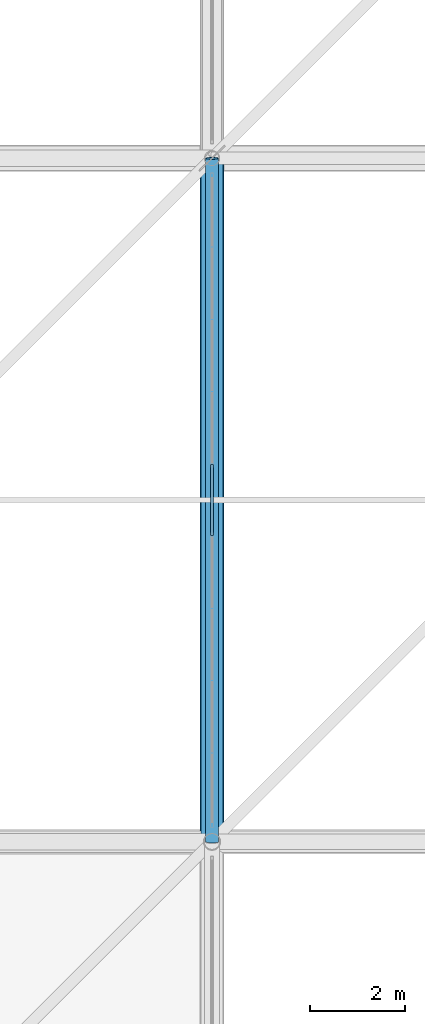
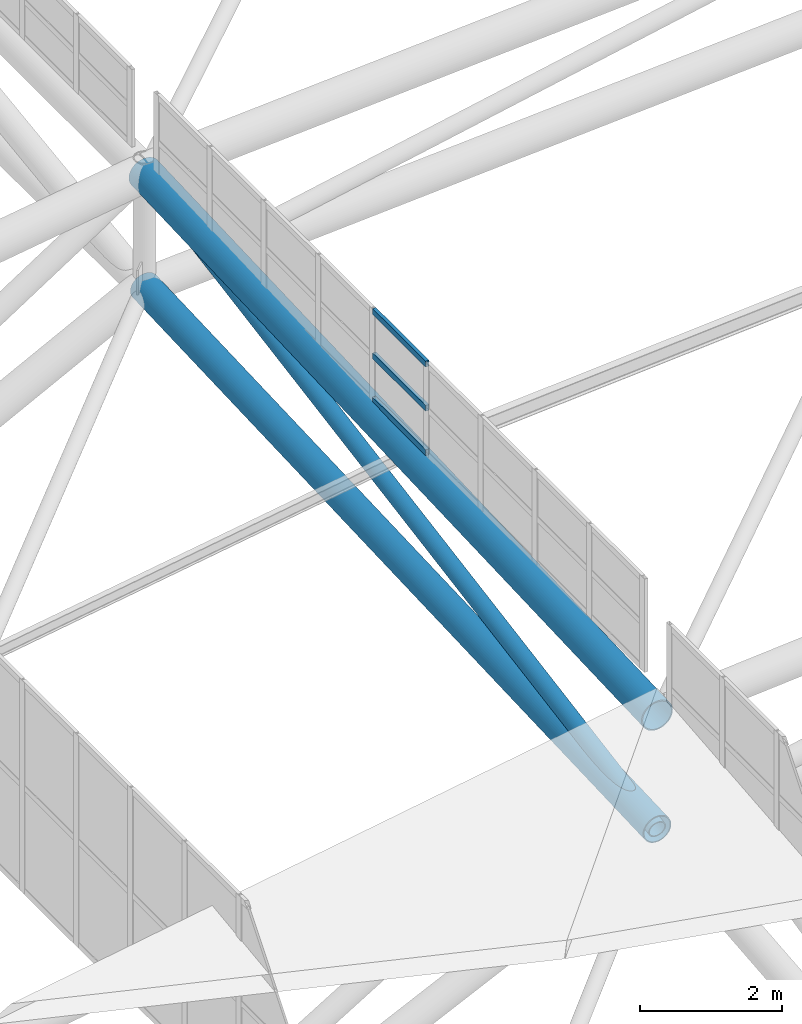
# One storey, part 70 of 397: 4 members, 2 beams, 1 element without a shape of its own.
"""IFC4 building model written with IfcOpenShell, lengths in metres."""

from ifc_helpers import new_model, si_unit, direction, frame, origin, origin_2d, place, context, subcontext, project, spatial, hollow_rectangle, hollow_circle, extrude, material, material_profile, profile_set, type_object, element, aggregate, save


model = new_model("IFC4")

# Units and contexts
model_context = context("Model", 3, precision=1e-05, world=origin(), true_north=direction((0.0, 1.0)))
body_context = subcontext(model_context, "Body", "Model", "MODEL_VIEW")
ifc_project = project(units=[si_unit("LENGTHUNIT", "METRE"), si_unit("AREAUNIT", "SQUARE_METRE"), si_unit("VOLUMEUNIT", "CUBIC_METRE"), si_unit("PLANEANGLEUNIT", "RADIAN"), si_unit("MASSUNIT", "GRAM", prefix="KILO")], contexts=[model_context])

# Site, building, storey
site_placement = place(None, origin())
site = spatial("IfcSite", under=ifc_project, at=site_placement, CompositionType="ELEMENT")
building_placement = place(site_placement, origin())
building = spatial("IfcBuilding", under=site, at=building_placement, Name="Qandorah Velis Arena", CompositionType="ELEMENT")
storey_placement = place(building_placement, frame((0.0, 0.0, 27.5)))
storey = spatial("IfcBuildingStorey", under=building, at=storey_placement, Name="RF", CompositionType="ELEMENT", Elevation=27.5)

# Curtain wall, members
ifc_material_1 = material(Name="Solar-control low-E double glazing", Category="glass")
curtain_wall_type = type_object("IfcCurtainWallType", Name="ARC-CW-SYS07", PredefinedType="USERDEFINED", material=ifc_material_1)
curtain_wall_placement = place(storey_placement, origin())
curtain_wall = element("IfcCurtainWall", 1, at=curtain_wall_placement, inside=storey, type_object=curtain_wall_type, Name="Unitised curtain wall OCULUS-1-2", ObjectType="UNITISED CURTAIN WALL", PredefinedType="USERDEFINED")
ifc_material_2 = material(Name="Champagne-bronze anodized aluminium 6063-T6", Category="aluminium")
ifc_material_profile_1 = material_profile(ifc_material_2, hollow_rectangle(XDim=0.054931640625, YDim=0.10009765625, WallThickness=0.0029296875, at=origin_2d()), Name="ALU TRANSOM 55x100")
ifc_profile_set_1 = profile_set([ifc_material_profile_1], Name="Champagne-bronze anodized aluminium 6063-T6")
member_type_1 = type_object("IfcMemberType", Name="ARC-CWT-100", PredefinedType="USERDEFINED", material=ifc_profile_set_1)
member_1_placement = place(storey_placement, frame((28.800048828125, 49.654296875, 9.455078125), z_axis=(0.0, 1.0, 0.0), x_axis=(-1.0, 0.0, 0.0)))
member_1 = element("IfcMember", 2, at=member_1_placement, type_object=member_type_1, Name="CW07 transom 5.1", ObjectType="TRANSOM", PredefinedType="USERDEFINED", context=body_context, shape_type="SweptSolid", body=[
    extrude(hollow_rectangle(XDim=0.054931640625, YDim=0.10009765625, WallThickness=0.0029296875, at=origin_2d()), origin(), (0.0, 0.0, 1.0), 1.4912109375),
])
member_2_placement = place(storey_placement, frame((28.800048828125, 49.654296875, 10.2138671875), z_axis=(0.0, 1.0, 0.0), x_axis=(-1.0, 0.0, 0.0)))
member_2 = element("IfcMember", 3, at=member_2_placement, type_object=member_type_1, Name="CW07 transom 5.2", ObjectType="TRANSOM", PredefinedType="USERDEFINED", context=body_context, shape_type="SweptSolid", body=[
    extrude(hollow_rectangle(XDim=0.054931640625, YDim=0.10009765625, WallThickness=0.0029296875, at=origin_2d()), origin(), (0.0, 0.0, 1.0), 1.4912109375),
])
member_3_placement = place(storey_placement, frame((28.800048828125, 49.654296875, 10.972412109375), z_axis=(0.0, 1.0, 0.0), x_axis=(-1.0, 0.0, 0.0)))
member_3 = element("IfcMember", 4, at=member_3_placement, type_object=member_type_1, Name="CW07 transom 5.3", ObjectType="TRANSOM", PredefinedType="USERDEFINED", context=body_context, shape_type="SweptSolid", body=[
    extrude(hollow_rectangle(XDim=0.054931640625, YDim=0.10009765625, WallThickness=0.0029296875, at=origin_2d()), origin(), (0.0, 0.0, 1.0), 1.4912109375),
])
aggregate(curtain_wall, [member_1, member_2, member_3])

# Beams
ifc_material_3 = material(Name="Steel S355", Category="steel")
ifc_material_profile_2 = material_profile(ifc_material_3, hollow_circle(Radius=0.228515625, WallThickness=0.01611328125, at=origin_2d()), Name="CHS 457x16")
ifc_profile_set_2 = profile_set([ifc_material_profile_2], Name="Steel S355")
beam_type_1 = type_object("IfcBeamType", Name="STR-SFC-CHS457X16", PredefinedType="USERDEFINED", material=ifc_profile_set_2)
beam_1_placement = place(storey_placement, frame((28.800048828125, 43.199951171875, 6.90771484375), z_axis=(0.0, 0.99920252752, 0.039928799101), x_axis=(-1.0, 0.0, 0.0)))
element("IfcBeam", 5, at=beam_1_placement, inside=storey, type_object=beam_type_1, Name="Space frame roof truss bottom chord Y 1.2", ObjectType="ROOF TRUSS", PredefinedType="USERDEFINED", context=body_context, shape_type="SweptSolid", body=[
    extrude(hollow_circle(Radius=0.228515625, WallThickness=0.01611328125, at=origin_2d()), origin(), (0.0, 0.0, 1.0), 14.41162109375),
])
ifc_material_profile_3 = material_profile(ifc_material_3, hollow_circle(Radius=0.25390625, WallThickness=0.02001953125, at=origin_2d()), Name="CHS 508x20")
ifc_profile_set_3 = profile_set([ifc_material_profile_3], Name="Steel S355")
beam_type_2 = type_object("IfcBeamType", Name="STR-SFC-CHS508X20", PredefinedType="USERDEFINED", material=ifc_profile_set_3)
beam_2_placement = place(storey_placement, frame((28.800048828125, 43.199951171875, 8.857666015625), z_axis=(0.0, 0.99920252752, 0.039928799101), x_axis=(-1.0, 0.0, 0.0)))
element("IfcBeam", 6, at=beam_2_placement, inside=storey, type_object=beam_type_2, Name="Space frame roof truss top chord Y 1.2", ObjectType="ROOF TRUSS", PredefinedType="USERDEFINED", context=body_context, shape_type="SweptSolid", body=[
    extrude(hollow_circle(Radius=0.25390625, WallThickness=0.02001953125, at=origin_2d()), origin(), (0.0, 0.0, 1.0), 14.41162109375),
])

# Member
ifc_material_profile_4 = material_profile(ifc_material_3, hollow_circle(Radius=0.136474609375, WallThickness=0.012451171875, at=origin_2d()), Name="CHS 273x12.5")
ifc_profile_set_4 = profile_set([ifc_material_profile_4], Name="Steel S355")
member_type_2 = type_object("IfcMemberType", Name="STR-SFD-CHS273X12", PredefinedType="STRUT", material=ifc_profile_set_4)
member_4_placement = place(storey_placement, frame((28.800048828125, 43.199951171875, 6.90771484375), z_axis=(0.0, 0.984968092256, 0.172736380759), x_axis=(-1.0, 0.0, 0.0)))
element("IfcMember", 7, at=member_4_placement, inside=storey, type_object=member_type_2, Name="Space frame roof diagonal Y 1.2", PredefinedType="STRUT", context=body_context, shape_type="SweptSolid", body=[
    extrude(hollow_circle(Radius=0.136474609375, WallThickness=0.012451171875, at=origin_2d()), origin(), (0.0, 0.0, 1.0), 14.619873046875),
])

save(model, "model.ifc")
